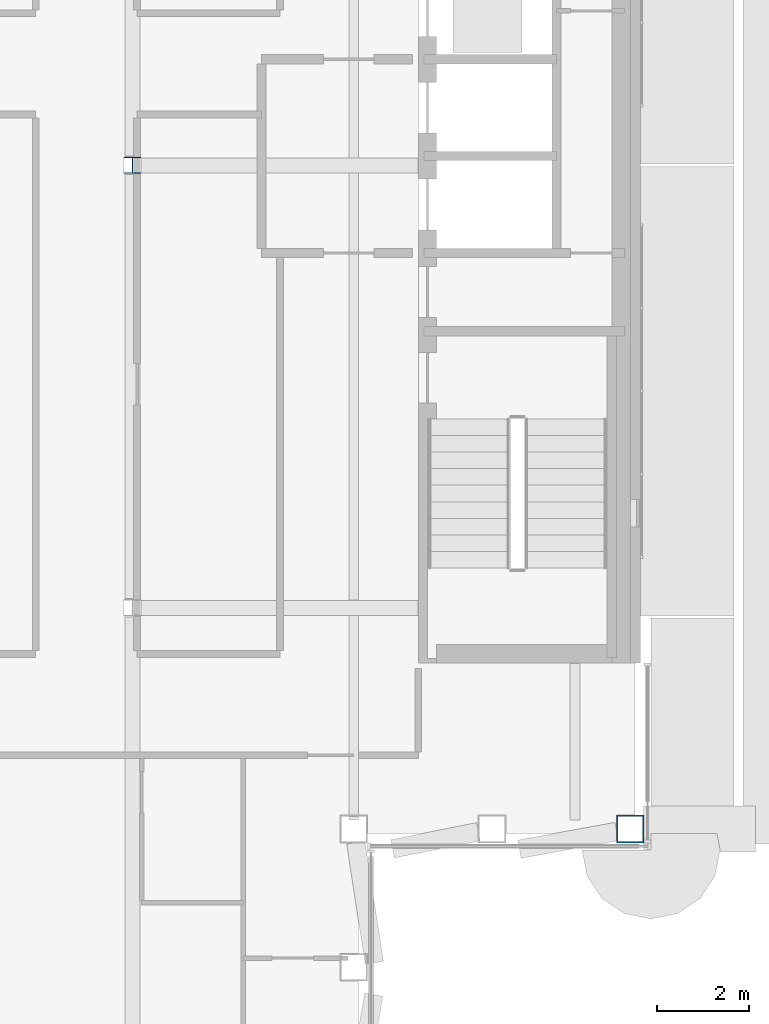
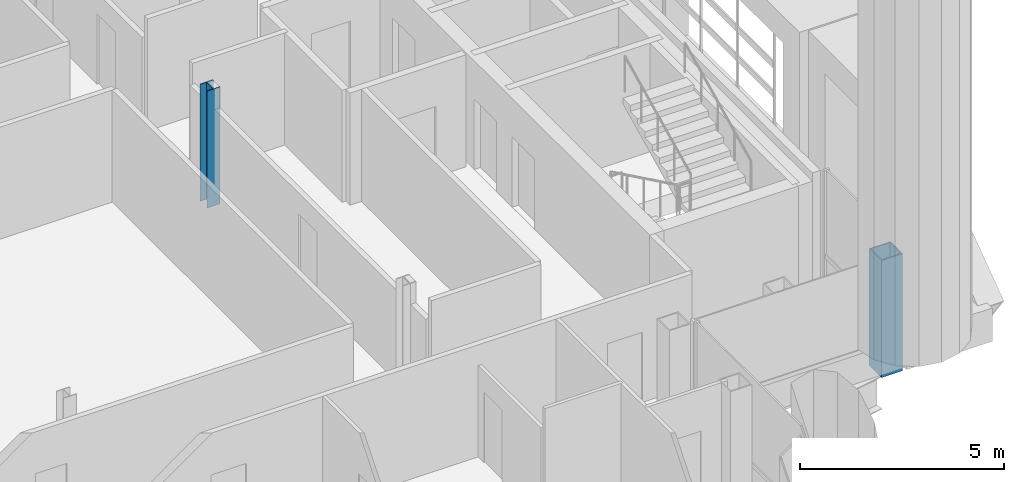
# One storey, part 2 of 29: 2 columns.
"""IFC4 building model written with IfcOpenShell, lengths in metres."""

from ifc_helpers import new_model, si_unit, direction, frame, origin, origin_2d, place, context, subcontext, project, spatial, hollow_rectangle, i_section, extrude, material, material_profile, profile_set, type_object, element, save


model = new_model("IFC4")

# Units and contexts
model_context = context("Model", 3, precision=1e-05, world=origin(), true_north=direction((0.0, 1.0)))
body_context = subcontext(model_context, "Body", "Model", "MODEL_VIEW")
ifc_project = project(units=[si_unit("LENGTHUNIT", "METRE"), si_unit("AREAUNIT", "SQUARE_METRE"), si_unit("VOLUMEUNIT", "CUBIC_METRE"), si_unit("PLANEANGLEUNIT", "RADIAN"), si_unit("MASSUNIT", "GRAM", prefix="KILO")], contexts=[model_context])

# Site, building, storey
site_placement = place(None, origin())
site = spatial("IfcSite", under=ifc_project, at=site_placement, CompositionType="ELEMENT")
building_placement = place(site_placement, origin())
building = spatial("IfcBuilding", under=site, at=building_placement, Name="Cobrizo Arcos Hotel Tower", CompositionType="ELEMENT")
storey_placement = place(building_placement, frame((0.0, 0.0, 241.0)))
storey = spatial("IfcBuildingStorey", under=building, at=storey_placement, Name="L63", CompositionType="ELEMENT", Elevation=241.0)

# Columns
ifc_material_1 = material(Name="Steel ASTM A572 Grade 50", Category="steel")
ifc_material_profile_1 = material_profile(ifc_material_1, hollow_rectangle(XDim=0.60009765625, YDim=0.60009765625, WallThickness=0.030029296875, at=origin_2d()), Name="BOX 600X600X30")
ifc_profile_set_1 = profile_set([ifc_material_profile_1], Name="Steel ASTM A572 Grade 50")
column_type_1 = type_object("IfcColumnType", Name="BOX 600X600X30 column", PredefinedType="COLUMN", material=ifc_profile_set_1)
column_1_placement = place(storey_placement, frame((20.39990234375, -14.39990234375, -0.14990234375), z_axis=(0.0, 0.0, 1.0), x_axis=(1.0, 0.0, 0.0)))
element("IfcColumn", 1, at=column_1_placement, inside=storey, type_object=column_type_1, Name="Perimeter column C12, L63, no. 14", PredefinedType="COLUMN", context=body_context, shape_type="SweptSolid", body=[
    extrude(hollow_rectangle(XDim=0.60009765625, YDim=0.60009765625, WallThickness=0.030029296875, at=origin_2d()), origin(), (0.0, 0.0, 1.0), 3.5),
])
ifc_material_2 = material(Name="Steel ASTM A992 Grade 50", Category="steel")
ifc_material_profile_2 = material_profile(ifc_material_2, i_section(OverallWidth=0.368408203125, OverallDepth=0.355712890625, WebThickness=0.01123046875, FlangeThickness=0.01806640625, at=origin_2d()), Name="W14X90")
ifc_profile_set_2 = profile_set([ifc_material_profile_2], Name="Steel ASTM A992 Grade 50")
column_type_2 = type_object("IfcColumnType", Name="W14X90 interior column", PredefinedType="COLUMN", material=ifc_profile_set_2)
column_2_placement = place(storey_placement, frame((9.60009765625, 0.0, -0.14990234375), z_axis=(0.0, 0.0, 1.0), x_axis=(1.0, 0.0, 0.0)))
element("IfcColumn", 2, at=column_2_placement, inside=storey, type_object=column_type_2, Name="Interior column C13, L63, no. 07", PredefinedType="COLUMN", context=body_context, shape_type="SweptSolid", body=[
    extrude(i_section(OverallWidth=0.368408203125, OverallDepth=0.355712890625, WebThickness=0.01123046875, FlangeThickness=0.01806640625, at=origin_2d()), origin(), (0.0, 0.0, 1.0), 3.5),
])

save(model, "model.ifc")
